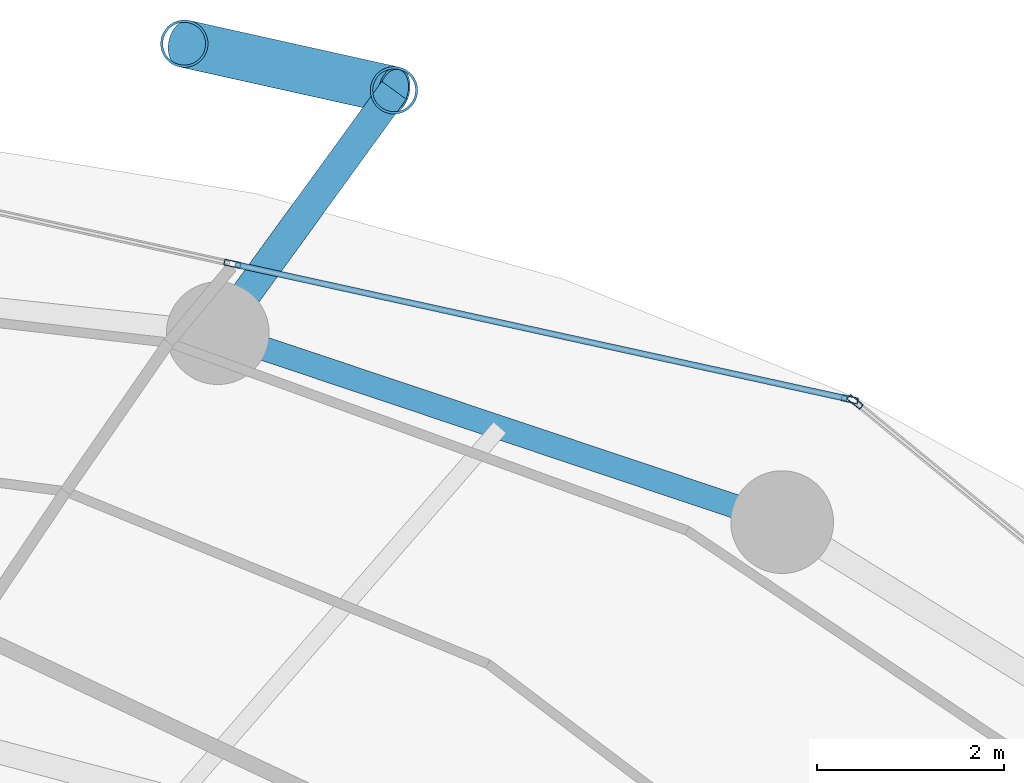
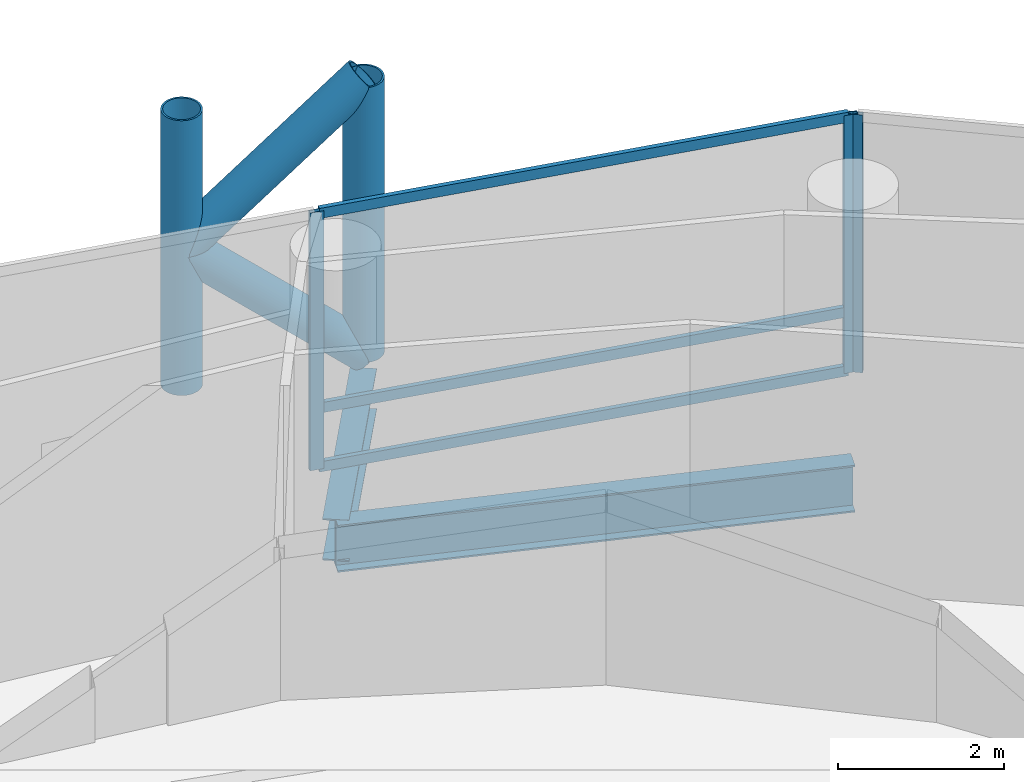
# One storey, part 18 of 26: 10 members, 2 beams, 2 elements without a shape of their own.
"""IFC4 building model written with IfcOpenShell, lengths in metres."""

from ifc_helpers import new_model, si_unit, direction, frame, origin, origin_2d, place, context, subcontext, project, spatial, hollow_rectangle, hollow_circle, i_section, extrude, material, layer, layer_set, material_profile, profile_set, type_object, element, aggregate, save


model = new_model("IFC4")

# Units and contexts
model_context = context("Model", 3, precision=1e-05, world=origin(), true_north=direction((0.0, 1.0)))
body_context = subcontext(model_context, "Body", "Model", "MODEL_VIEW")
ifc_project = project(units=[si_unit("LENGTHUNIT", "METRE"), si_unit("AREAUNIT", "SQUARE_METRE"), si_unit("VOLUMEUNIT", "CUBIC_METRE"), si_unit("PLANEANGLEUNIT", "RADIAN"), si_unit("MASSUNIT", "GRAM", prefix="KILO")], contexts=[model_context])

# Site, building, storey
site_placement = place(None, origin())
site = spatial("IfcSite", under=ifc_project, at=site_placement, CompositionType="ELEMENT")
building_placement = place(site_placement, origin())
building = spatial("IfcBuilding", under=site, at=building_placement, Name="Nuhasar Tower", CompositionType="ELEMENT")
storey_placement = place(building_placement, frame((0.0, 0.0, 97.949951171875)))
storey = spatial("IfcBuildingStorey", under=building, at=storey_placement, Name="L23", CompositionType="ELEMENT", Elevation=97.949951171875)

# Beams
ifc_material_1 = material(Name="Steel S355", Category="steel")
ifc_material_profile_1 = material_profile(ifc_material_1, i_section(OverallWidth=0.256103515625, OverallDepth=0.693115234375, WebThickness=0.014404296875, FlangeThickness=0.023681640625, at=origin_2d()), Name="W27X114")
ifc_profile_set_1 = profile_set([ifc_material_profile_1], Name="Steel S355")
beam_type_1 = type_object("IfcBeamType", Name="BM-RING-W27X114", PredefinedType="SPANDREL", material=ifc_profile_set_1)
beam_1_placement = place(storey_placement, frame((51.52490234375, 44.3369140625, -0.596923828125), z_axis=(-0.948249435708, 0.317526388949, 0.0), x_axis=(-0.317526388949, -0.948249435708, 0.0)))
element("IfcBeam", 1, at=beam_1_placement, inside=storey, type_object=beam_type_1, Name="L23 Perimeter Ring Spandrel 05", PredefinedType="SPANDREL", context=body_context, shape_type="SweptSolid", body=[
    extrude(i_section(OverallWidth=0.256103515625, OverallDepth=0.693115234375, WebThickness=0.014404296875, FlangeThickness=0.023681640625, at=origin_2d()), origin(), (0.0, 0.0, 1.0), 6.371826171875),
])
ifc_material_profile_2 = material_profile(ifc_material_1, i_section(OverallWidth=0.323974609375, OverallDepth=0.611083984375, WebThickness=0.0126953125, FlangeThickness=0.01904296875, at=origin_2d()), Name="W24X104")
ifc_profile_set_2 = profile_set([ifc_material_profile_2], Name="Steel S355")
beam_type_2 = type_object("IfcBeamType", Name="BM-TIE-W24X104", PredefinedType="BEAM", material=ifc_profile_set_2)
beam_2_placement = place(storey_placement, frame((45.48291015625, 46.360107421875, -0.554931640625), z_axis=(0.587439442414, 0.809268127073, 0.0), x_axis=(-0.809268127073, 0.587439442414, 0.0)))
element("IfcBeam", 2, at=beam_2_placement, inside=storey, type_object=beam_type_2, Name="L23 Exoskeleton Node Tie Beam 03", PredefinedType="BEAM", context=body_context, shape_type="SweptSolid", body=[
    extrude(i_section(OverallWidth=0.323974609375, OverallDepth=0.611083984375, WebThickness=0.0126953125, FlangeThickness=0.01904296875, at=origin_2d()), origin(), (0.0, 0.0, 1.0), 3.212646484375),
])

# Curtain wall, member
ifc_material_2 = material(Name="Aluminium 6063-T6", Category="aluminium")
ifc_layer = layer(ifc_material_2, 0.199951171875)
ifc_layer_set = layer_set([ifc_layer], Name="Aluminium 6063-T6")
curtain_wall_type = type_object("IfcCurtainWallType", Name="CW-Z1-OFF", PredefinedType="NOTDEFINED", material=ifc_layer_set)
curtain_wall_1_placement = place(storey_placement, origin())
curtain_wall_1 = element("IfcCurtainWall", 3, at=curtain_wall_1_placement, inside=storey, type_object=curtain_wall_type, Name="L23 Unitised Curtain Wall 02", PredefinedType="NOTDEFINED")
ifc_material_profile_3 = material_profile(ifc_material_2, hollow_rectangle(XDim=0.06494140625, YDim=0.179931640625, WallThickness=0.0048828125, at=origin_2d()), Name="CWM-2")
ifc_profile_set_3 = profile_set([ifc_material_profile_3], Name="Aluminium 6063-T6")
member_type_1 = type_object("IfcMemberType", Name="CW-MUL-S2", PredefinedType="MULLION", material=ifc_profile_set_3)
member_1_placement = place(storey_placement, frame((52.30517578125, 45.62451171875, 0.0), z_axis=(0.0, 0.0, 1.0), x_axis=(-0.633744593376, -0.773542364946, 0.0)))
member_1 = element("IfcMember", 4, at=member_1_placement, type_object=member_type_1, Name="CW-Z1 mullion 2", PredefinedType="MULLION", context=body_context, shape_type="SweptSolid", body=[
    extrude(hollow_rectangle(XDim=0.06494140625, YDim=0.179931640625, WallThickness=0.0048828125, at=origin_2d()), origin(), (0.0, 0.0, 1.0), 3.800048828125),
])
aggregate(curtain_wall_1, [member_1])

# Curtain wall, members
curtain_wall_2_placement = place(storey_placement, origin())
curtain_wall_2 = element("IfcCurtainWall", 5, at=curtain_wall_2_placement, inside=storey, type_object=curtain_wall_type, Name="L23 Unitised Curtain Wall 03", PredefinedType="NOTDEFINED")
member_2_placement = place(storey_placement, frame((52.248291015625, 45.65185546875, 0.0), z_axis=(0.0, 0.0, 1.0), x_axis=(-0.214398737637, -0.976746221544, 0.0)))
member_2 = element("IfcMember", 6, at=member_2_placement, type_object=member_type_1, Name="CW-Z1 mullion 1", PredefinedType="MULLION", context=body_context, shape_type="SweptSolid", body=[
    extrude(hollow_rectangle(XDim=0.06494140625, YDim=0.179931640625, WallThickness=0.0048828125, at=origin_2d()), origin(), (0.0, 0.0, 1.0), 3.800048828125),
])
member_3_placement = place(storey_placement, frame((45.639892578125, 47.1025390625, 0.0), z_axis=(0.0, 0.0, 1.0), x_axis=(-0.214398737637, -0.976746221544, 0.0)))
member_3 = element("IfcMember", 7, at=member_3_placement, type_object=member_type_1, Name="CW-Z1 mullion 2", PredefinedType="MULLION", context=body_context, shape_type="SweptSolid", body=[
    extrude(hollow_rectangle(XDim=0.06494140625, YDim=0.179931640625, WallThickness=0.0048828125, at=origin_2d()), origin(), (0.0, 0.0, 1.0), 3.800048828125),
])
ifc_material_profile_4 = material_profile(ifc_material_2, hollow_rectangle(XDim=0.06494140625, YDim=0.14990234375, WallThickness=0.00439453125, at=origin_2d()), Name="CWT-2")
ifc_profile_set_4 = profile_set([ifc_material_profile_4], Name="Aluminium 6063-T6")
member_type_2 = type_object("IfcMemberType", Name="CW-TRN-S2", PredefinedType="USERDEFINED", material=ifc_profile_set_4)
member_4_placement = place(storey_placement, frame((52.216552734375, 45.658935546875, 0.032470703125), z_axis=(-0.976749553792, 0.214383556196, 0.0), x_axis=(-0.214383556196, -0.976749553792, 0.0)))
member_4 = element("IfcMember", 8, at=member_4_placement, type_object=member_type_2, Name="CW-Z1 transom 1.1", ObjectType="TRANSOM", PredefinedType="USERDEFINED", context=body_context, shape_type="SweptSolid", body=[
    extrude(hollow_rectangle(XDim=0.06494140625, YDim=0.14990234375, WallThickness=0.00439453125, at=origin_2d()), origin(), (0.0, 0.0, 1.0), 6.70068359375),
])
member_5_placement = place(storey_placement, frame((52.216552734375, 45.658935546875, 0.900146484375), z_axis=(-0.976749553792, 0.214383556196, 0.0), x_axis=(-0.214383556196, -0.976749553792, 0.0)))
member_5 = element("IfcMember", 9, at=member_5_placement, type_object=member_type_2, Name="CW-Z1 transom 1.2", ObjectType="TRANSOM", PredefinedType="USERDEFINED", context=body_context, shape_type="SweptSolid", body=[
    extrude(hollow_rectangle(XDim=0.06494140625, YDim=0.14990234375, WallThickness=0.00439453125, at=origin_2d()), origin(), (0.0, 0.0, 1.0), 6.70068359375),
])
member_6_placement = place(storey_placement, frame((52.216552734375, 45.658935546875, 3.767578125), z_axis=(-0.976749553792, 0.214383556196, 0.0), x_axis=(-0.214383556196, -0.976749553792, 0.0)))
member_6 = element("IfcMember", 10, at=member_6_placement, type_object=member_type_2, Name="CW-Z1 transom 1.3", ObjectType="TRANSOM", PredefinedType="USERDEFINED", context=body_context, shape_type="SweptSolid", body=[
    extrude(hollow_rectangle(XDim=0.06494140625, YDim=0.14990234375, WallThickness=0.00439453125, at=origin_2d()), origin(), (0.0, 0.0, 1.0), 6.70068359375),
])
aggregate(curtain_wall_2, [member_2, member_3, member_4, member_5, member_6])

# Members
ifc_material_3 = material(Name="Steel S460", Category="steel")
ifc_material_profile_5 = material_profile(ifc_material_3, hollow_circle(Radius=0.25390625, WallThickness=0.025390625, at=origin_2d()), Name="HSS508X25.4")
ifc_profile_set_5 = profile_set([ifc_material_profile_5], Name="Steel S460")
member_type_3 = type_object("IfcMemberType", Name="EXO-BRONZE-508", PredefinedType="BRACE", material=ifc_profile_set_5)
for number, where, z_axis, x_axis, name in (
    (11, (47.3701171875, 48.9599609375, 0.0), (0.0, 0.0, 1.0), (1.0, 0.0, 0.0), "L23 Exoskeleton Chord Column EC-03A"),
    (12, (45.1240234375, 49.458984375, 0.0), (0.0, 0.0, 1.0), (1.0, 0.0, 0.0), "L23 Exoskeleton Chord Column EC-03B"),
):
    element("IfcMember", number, at=place(storey_placement, frame(where, z_axis=z_axis, x_axis=x_axis)), inside=storey, type_object=member_type_3, Name=name, PredefinedType="BRACE", context=body_context, shape_type="SweptSolid", body=[
        extrude(hollow_circle(Radius=0.25390625, WallThickness=0.025390625, at=origin_2d()), origin(), (0.0, 0.0, 1.0), 4.050048828125),
    ])
member_7_placement = place(storey_placement, frame((47.3701171875, 48.9599609375, 0.0), z_axis=(-0.732782908552, 0.162805246204, 0.660699372439), x_axis=(-0.216885517571, -0.97619704582, 0.0)))
element("IfcMember", 13, at=member_7_placement, inside=storey, type_object=member_type_3, Name="L23 Bronze Diagrid Brace W1-03", PredefinedType="BRACE", context=body_context, shape_type="SweptSolid", body=[
    extrude(hollow_circle(Radius=0.25390625, WallThickness=0.025390625, at=origin_2d()), origin(), (0.0, 0.0, 1.0), 3.065185546875),
])
member_8_placement = place(storey_placement, frame((45.1240234375, 49.458984375, 2.025146484375), z_axis=(0.732821471909, -0.162813813976, 0.660654487828), x_axis=(0.216885517571, 0.97619704582, 0.0)))
element("IfcMember", 14, at=member_8_placement, inside=storey, type_object=member_type_3, Name="L23 Bronze Diagrid Brace W2-03", PredefinedType="BRACE", context=body_context, shape_type="SweptSolid", body=[
    extrude(hollow_circle(Radius=0.25390625, WallThickness=0.025390625, at=origin_2d()), origin(), (0.0, 0.0, 1.0), 3.06494140625),
])

save(model, "model.ifc")
